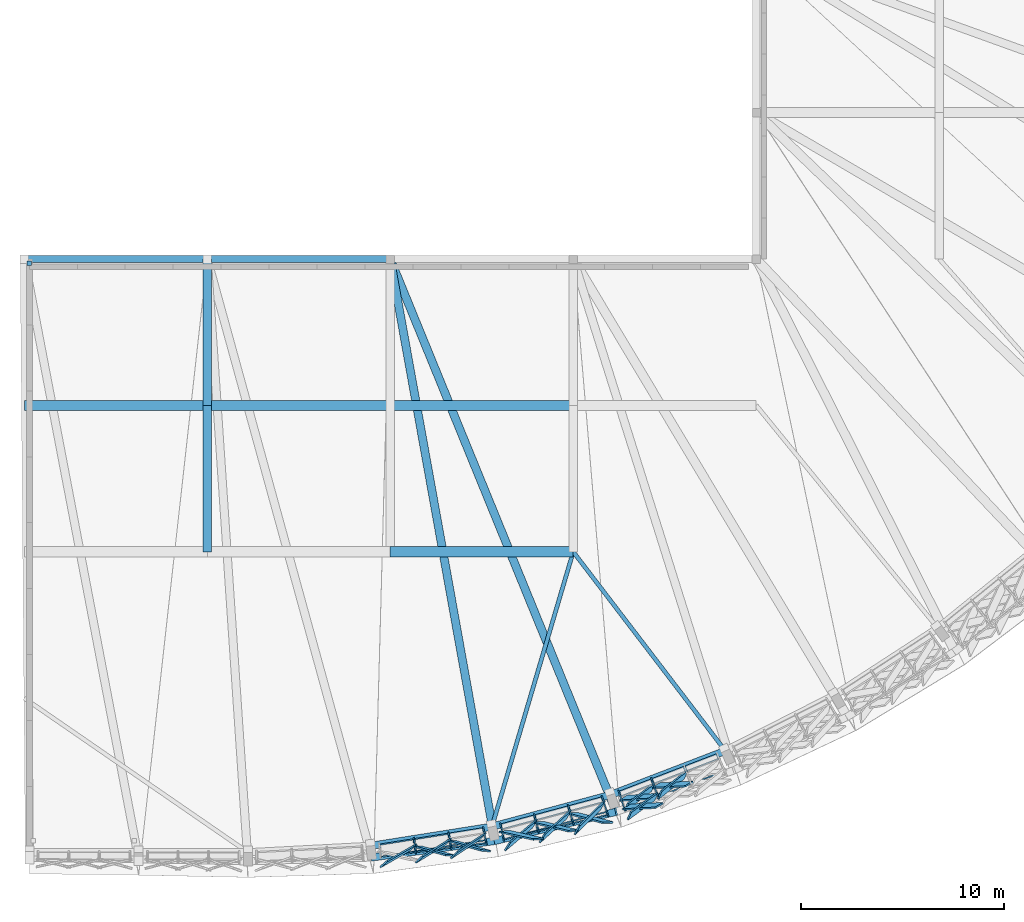
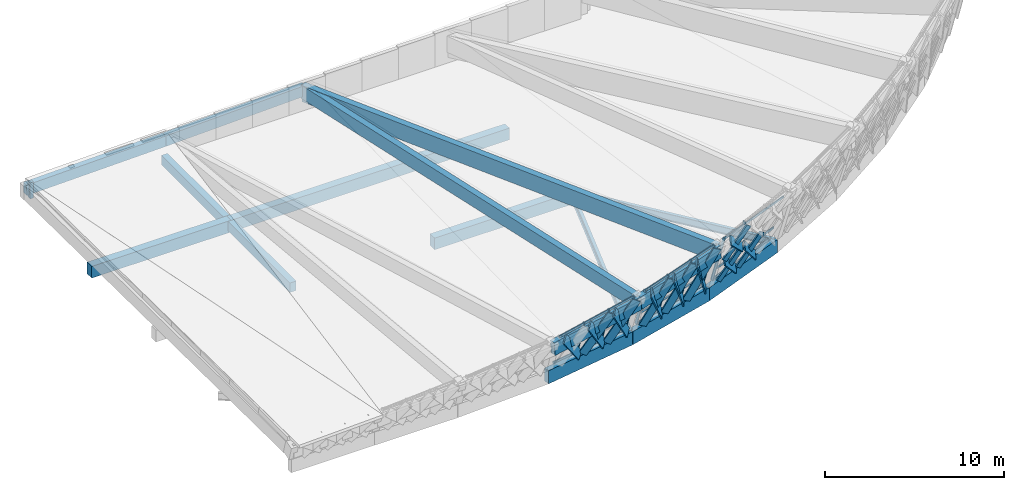
# One storey, part 3 of 11: 37 members, 16 beams, 3 elements without a shape of their own.
"""IFC4 building model written with IfcOpenShell, lengths in metres."""

from ifc_helpers import new_model, si_unit, direction, frame, origin, origin_2d, place, context, subcontext, project, spatial, rectangle, hollow_rectangle, i_section, extrude, material, material_profile, profile_set, type_object, element, aggregate, save


model = new_model("IFC4")

# Units and contexts
model_context = context("Model", 3, precision=1e-05, world=origin(), true_north=direction((0.0, 1.0)))
body_context = subcontext(model_context, "Body", "Model", "MODEL_VIEW")
ifc_project = project(units=[si_unit("LENGTHUNIT", "METRE"), si_unit("AREAUNIT", "SQUARE_METRE"), si_unit("VOLUMEUNIT", "CUBIC_METRE"), si_unit("PLANEANGLEUNIT", "RADIAN"), si_unit("MASSUNIT", "GRAM", prefix="KILO")], contexts=[model_context])

# Site, building, storey
site_placement = place(None, origin())
site = spatial("IfcSite", under=ifc_project, at=site_placement, CompositionType="ELEMENT")
building_placement = place(site_placement, origin())
building = spatial("IfcBuilding", under=site, at=building_placement, Name="Chiffa Square Polytechnic", CompositionType="ELEMENT")
storey_placement = place(building_placement, frame((0.0, 0.0, 30.60009765625)))
storey = spatial("IfcBuildingStorey", under=building, at=storey_placement, Name="ROOF", CompositionType="ELEMENT", Elevation=30.60009765625)

# Beams
ifc_material_1 = material(Name="Concrete C35/45", Category="concrete")
ifc_material_profile_1 = material_profile(ifc_material_1, rectangle(XDim=0.39990234375, YDim=0.64990234375, at=origin_2d()), Name="RC 400x650")
ifc_profile_set_1 = profile_set([ifc_material_profile_1], Name="Concrete C35/45")
beam_type_1 = type_object("IfcBeamType", Name="BM-RC-400X650", PredefinedType="BEAM", material=ifc_profile_set_1)
beam_1_placement = place(storey_placement, frame((121.199951171875, 14.39990234375, -1.30517578125), z_axis=(0.0, 1.0, 0.0), x_axis=(-1.0, 0.0, 0.0)))
element("IfcBeam", 1, at=beam_1_placement, inside=storey, type_object=beam_type_1, Name="Attic floor girder BM-V1-ROOF-Y-1212-0144", PredefinedType="BEAM", context=body_context, shape_type="SweptSolid", body=[
    extrude(rectangle(XDim=0.39990234375, YDim=0.64990234375, at=origin_2d()), origin(), (0.0, 0.0, 1.0), 7.2001953125),
])
beam_2_placement = place(storey_placement, frame((121.199951171875, 21.60009765625, -1.30517578125), z_axis=(0.0, 1.0, 0.0), x_axis=(-1.0, 0.0, 0.0)))
element("IfcBeam", 2, at=beam_2_placement, inside=storey, type_object=beam_type_1, Name="Attic floor girder BM-V1-ROOF-Y-1212-0216", PredefinedType="BEAM", context=body_context, shape_type="SweptSolid", body=[
    extrude(rectangle(XDim=0.39990234375, YDim=0.64990234375, at=origin_2d()), origin(), (0.0, 0.0, 1.0), 7.199951171875),
])
ifc_material_2 = material(Name="Concrete C40/50", Category="concrete")
ifc_material_profile_2 = material_profile(ifc_material_2, rectangle(XDim=0.5, YDim=0.800048828125, at=origin_2d()), Name="RC 500x800")
ifc_profile_set_2 = profile_set([ifc_material_profile_2], Name="Concrete C40/50")
beam_type_2 = type_object("IfcBeamType", Name="BM-RC-500X800", PredefinedType="BEAM", material=ifc_profile_set_2)
for number, where, z_axis, x_axis, name in (
    (3, (130.199951171875, 14.39990234375, -1.380126953125), (1.0, 0.0, 0.0), (0.0, 1.0, 0.0), "Attic floor girder BM-V1-ROOF-X-1302-0144"),
    (4, (112.199951171875, 21.60009765625, -1.380126953125), (1.0, 0.0, 0.0), (0.0, 1.0, 0.0), "Attic floor girder BM-V1-ROOF-X-1122-0216"),
):
    element("IfcBeam", number, at=place(storey_placement, frame(where, z_axis=z_axis, x_axis=x_axis)), inside=storey, type_object=beam_type_2, Name=name, PredefinedType="BEAM", context=body_context, shape_type="SweptSolid", body=[
        extrude(rectangle(XDim=0.5, YDim=0.800048828125, at=origin_2d()), origin(), (0.0, 0.0, 1.0), 9.0),
    ])
beam_3_placement = place(storey_placement, frame((121.199951171875, 21.60009765625, -1.380126953125), z_axis=(1.0, 0.0, 0.0), x_axis=(0.0, 1.0, 0.0)))
element("IfcBeam", 5, at=beam_3_placement, inside=storey, type_object=beam_type_2, Name="Attic floor girder BM-V1-ROOF-X-1212-0216", PredefinedType="BEAM", context=body_context, shape_type="SweptSolid", body=[
    extrude(rectangle(XDim=0.5, YDim=0.800048828125, at=origin_2d()), origin(), (0.0, 0.0, 1.0), 18.0),
])
ifc_material_3 = material(Name="Steel S355", Category="steel")
ifc_material_profile_3 = material_profile(ifc_material_3, i_section(OverallWidth=0.199951171875, OverallDepth=0.5, WebThickness=0.01025390625, FlangeThickness=0.01611328125, FilletRadius=0.02099609375, at=origin_2d()), Name="IPE 500")
ifc_profile_set_3 = profile_set([ifc_material_profile_3], Name="Steel S355")
beam_type_3 = type_object("IfcBeamType", Name="BM-STL-IPE500", PredefinedType="BEAM", material=ifc_profile_set_3)
beam_4_placement = place(storey_placement, frame((135.202880859375, 0.881103515625, -1.22998046875), z_axis=(0.283534011604, 0.958962180831, 0.0), x_axis=(-0.958962180831, 0.283534011604, 0.0)))
element("IfcBeam", 6, at=beam_4_placement, inside=storey, type_object=beam_type_3, Name="Prow attic radial tie girder BM-V1-RAD-ROOF-05", PredefinedType="BEAM", context=body_context, shape_type="SweptSolid", body=[
    extrude(i_section(OverallWidth=0.199951171875, OverallDepth=0.5, WebThickness=0.01025390625, FlangeThickness=0.01611328125, FilletRadius=0.02099609375, at=origin_2d()), origin(), (0.0, 0.0, 1.0), 14.097412109375),
])
beam_5_placement = place(storey_placement, frame((146.680908203125, 4.611083984375, -1.22998046875), z_axis=(-0.607213971421, 0.79453835207, 0.0), x_axis=(-0.79453835207, -0.607213971421, 0.0)))
element("IfcBeam", 7, at=beam_5_placement, inside=storey, type_object=beam_type_3, Name="Prow attic radial tie girder BM-V1-RAD-ROOF-07", PredefinedType="BEAM", context=body_context, shape_type="SweptSolid", body=[
    extrude(i_section(OverallWidth=0.199951171875, OverallDepth=0.5, WebThickness=0.01025390625, FlangeThickness=0.01611328125, FilletRadius=0.02099609375, at=origin_2d()), origin(), (0.0, 0.0, 1.0), 12.320068359375),
])

# Curtain wall, members
ifc_material_4 = material(Name="Aluminium EN AW-6060 T66 and glulam shading", Category="wood")
curtain_wall_type_1 = type_object("IfcCurtainWallType", Name="CW-PROW-LEAN-300", PredefinedType="USERDEFINED", material=ifc_material_4)
curtain_wall_1_placement = place(storey_placement, origin())
curtain_wall_1 = element("IfcCurtainWall", 8, at=curtain_wall_1_placement, inside=storey, type_object=curtain_wall_type_1, Name="Outward-leaning diamond-fin prow curtain wall CW-V1-ROOF-113", ObjectType="CURTAIN WALL", PredefinedType="USERDEFINED")
ifc_material_5 = material(Name="Aluminium EN AW-6060 T66", Category="aluminium")
ifc_material_profile_4 = material_profile(ifc_material_5, hollow_rectangle(XDim=0.06494140625, YDim=0.179931640625, WallThickness=0.00390625, at=origin_2d()), Name="ALU 65x180x4")
ifc_profile_set_4 = profile_set([ifc_material_profile_4], Name="Aluminium EN AW-6060 T66")
member_type_1 = type_object("IfcMemberType", Name="CWM-ALU-75X180", PredefinedType="MULLION", material=ifc_profile_set_4)
member_1_placement = place(storey_placement, frame((131.365234375, 0.273193359375, -0.75), z_axis=(0.037929707068, -0.269181769268, 0.962342201307), x_axis=(0.99021797746, 0.139529054736, 0.0)))
member_1 = element("IfcMember", 9, at=member_1_placement, type_object=member_type_1, Name="Leaning prow mullion CW-V1-ROOF-113-M01", PredefinedType="MULLION", context=body_context, shape_type="SweptSolid", body=[
    extrude(hollow_rectangle(XDim=0.06494140625, YDim=0.179931640625, WallThickness=0.00390625, at=origin_2d()), origin(), (0.0, 0.0, 1.0), 2.458740234375),
])
member_2_placement = place(storey_placement, frame((133.07177734375, 0.543701171875, -0.75), z_axis=(0.047201554215, -0.267660578017, 0.962356393575), x_axis=(0.984804120666, 0.173668776466, 0.0)))
member_2 = element("IfcMember", 10, at=member_2_placement, type_object=member_type_1, Name="Leaning prow mullion CW-V1-ROOF-113-M02", PredefinedType="MULLION", context=body_context, shape_type="SweptSolid", body=[
    extrude(hollow_rectangle(XDim=0.06494140625, YDim=0.179931640625, WallThickness=0.00390625, at=origin_2d()), origin(), (0.0, 0.0, 1.0), 2.637939453125),
])
member_3_placement = place(storey_placement, frame((134.778076171875, 0.81396484375, -0.75), z_axis=(0.056503966369, -0.266053952075, 0.962300678775), x_axis=(0.978183137776, 0.207744431866, 0.0)))
member_3 = element("IfcMember", 11, at=member_3_placement, type_object=member_type_1, Name="Leaning prow mullion CW-V1-ROOF-113-M03", PredefinedType="MULLION", context=body_context, shape_type="SweptSolid", body=[
    extrude(hollow_rectangle(XDim=0.06494140625, YDim=0.179931640625, WallThickness=0.00390625, at=origin_2d()), origin(), (0.0, 0.0, 1.0), 2.817138671875),
])

curtain_wall_type_2 = type_object("IfcCurtainWallType", Name="CW-PROW-LEAN-150", PredefinedType="USERDEFINED", material=ifc_material_4)
curtain_wall_2_placement = place(storey_placement, origin())
curtain_wall_2 = element("IfcCurtainWall", 12, at=curtain_wall_2_placement, inside=storey, type_object=curtain_wall_type_2, Name="Outward-leaning diamond-fin prow curtain wall CW-V1-ROOF-114", ObjectType="CURTAIN WALL", PredefinedType="USERDEFINED")
member_4_placement = place(storey_placement, frame((135.617919921875, 0.991943359375, -0.75), z_axis=(0.056589046619, -0.266133173303, 0.962273772827), x_axis=(0.978132130043, 0.207984461386, 0.0)))
member_4 = element("IfcMember", 13, at=member_4_placement, type_object=member_type_1, Name="Leaning prow mullion CW-V1-ROOF-114-M00", PredefinedType="MULLION", context=body_context, shape_type="SweptSolid", body=[
    extrude(hollow_rectangle(XDim=0.06494140625, YDim=0.179931640625, WallThickness=0.00390625, at=origin_2d()), origin(), (0.0, 0.0, 1.0), 2.817138671875),
])
member_5_placement = place(storey_placement, frame((137.287109375, 1.439208984375, -0.75), z_axis=(0.065643505079, -0.263708599416, 0.962366201004), x_axis=(0.970387590595, 0.241553149472, 0.0)))
member_5 = element("IfcMember", 14, at=member_5_placement, type_object=member_type_1, Name="Leaning prow mullion CW-V1-ROOF-114-M01", PredefinedType="MULLION", context=body_context, shape_type="SweptSolid", body=[
    extrude(hollow_rectangle(XDim=0.06494140625, YDim=0.179931640625, WallThickness=0.00390625, at=origin_2d()), origin(), (0.0, 0.0, 1.0), 3.012451171875),
])
member_6_placement = place(storey_placement, frame((138.9560546875, 1.88671875, -0.75), z_axis=(0.074799852754, -0.261304877272, 0.96235375156), x_axis=(0.96138648807, 0.27520178153, 0.0)))
member_6 = element("IfcMember", 15, at=member_6_placement, type_object=member_type_1, Name="Leaning prow mullion CW-V1-ROOF-114-M02", PredefinedType="MULLION", context=body_context, shape_type="SweptSolid", body=[
    extrude(hollow_rectangle(XDim=0.06494140625, YDim=0.179931640625, WallThickness=0.00390625, at=origin_2d()), origin(), (0.0, 0.0, 1.0), 3.20849609375),
])
member_7_placement = place(storey_placement, frame((140.625, 2.333984375, -0.75), z_axis=(0.083906761409, -0.258820087116, 0.962274294521), x_axis=(0.95126044128, 0.308388671737, 0.0)))
member_7 = element("IfcMember", 16, at=member_7_placement, type_object=member_type_1, Name="Leaning prow mullion CW-V1-ROOF-114-M03", PredefinedType="MULLION", context=body_context, shape_type="SweptSolid", body=[
    extrude(hollow_rectangle(XDim=0.06494140625, YDim=0.179931640625, WallThickness=0.00390625, at=origin_2d()), origin(), (0.0, 0.0, 1.0), 3.404296875),
])

curtain_wall_3_placement = place(storey_placement, origin())
curtain_wall_3 = element("IfcCurtainWall", 17, at=curtain_wall_3_placement, inside=storey, type_object=curtain_wall_type_1, Name="Outward-leaning diamond-fin prow curtain wall CW-V1-ROOF-115", ObjectType="CURTAIN WALL", PredefinedType="USERDEFINED")
member_8_placement = place(storey_placement, frame((141.44091796875, 2.59912109375, -0.75), z_axis=(0.084188466281, -0.258947659065, 0.96221536675), x_axis=(0.951001161668, 0.309187306508, 0.0)))
member_8 = element("IfcMember", 18, at=member_8_placement, type_object=member_type_1, Name="Leaning prow mullion CW-V1-ROOF-115-M00", PredefinedType="MULLION", context=body_context, shape_type="SweptSolid", body=[
    extrude(hollow_rectangle(XDim=0.06494140625, YDim=0.179931640625, WallThickness=0.00390625, at=origin_2d()), origin(), (0.0, 0.0, 1.0), 3.404541015625),
])
member_9_placement = place(storey_placement, frame((143.053955078125, 3.21826171875, -0.75), z_axis=(0.09302362294, -0.255494075498, 0.962324988224), x_axis=(0.939655518193, 0.342122064662, 0.0)))
member_9 = element("IfcMember", 19, at=member_9_placement, type_object=member_type_1, Name="Leaning prow mullion CW-V1-ROOF-115-M01", PredefinedType="MULLION", context=body_context, shape_type="SweptSolid", body=[
    extrude(hollow_rectangle(XDim=0.06494140625, YDim=0.179931640625, WallThickness=0.00390625, at=origin_2d()), origin(), (0.0, 0.0, 1.0), 3.614013671875),
])

# Member
ifc_material_6 = material(Name="Glulam GL28h", Category="wood")
ifc_material_profile_5 = material_profile(ifc_material_6, rectangle(XDim=0.080078125, YDim=0.580078125, at=origin_2d()), Name="GL28h 80x580")
ifc_profile_set_5 = profile_set([ifc_material_profile_5], Name="Glulam GL28h")
member_type_2 = type_object("IfcMemberType", Name="CWM-GL-80X580", PredefinedType="MULLION", material=ifc_profile_set_5)
member_10_placement = place(storey_placement, frame((131.33203125, -0.123046875, -0.710205078125), z_axis=(-0.537416459529, -0.309465316964, 0.784483758037), x_axis=(0.599222082026, -0.794683223594, 0.097012733965)))
member_10 = element("IfcMember", 20, at=member_10_placement, type_object=member_type_2, Name="Diamond glulam fin CW-V1-ROOF-113-DF01B", PredefinedType="MULLION", context=body_context, shape_type="SweptSolid", body=[
    extrude(rectangle(XDim=0.080078125, YDim=0.580078125, at=origin_2d()), origin(), (0.0, 0.0, 1.0), 2.70751953125),
])

member_11_placement = place(storey_placement, frame((131.51904296875, -0.093017578125, -0.710205078125), z_axis=(0.549782596615, -0.147996328736, 0.822092563608), x_axis=(0.132554158152, 0.987165914075, 0.089066566365)))
member_11 = element("IfcMember", 21, at=member_11_placement, type_object=member_type_2, Name="Diamond glulam fin CW-V1-ROOF-113-DF02A", PredefinedType="MULLION", context=body_context, shape_type="SweptSolid", body=[
    extrude(rectangle(XDim=0.080078125, YDim=0.580078125, at=origin_2d()), origin(), (0.0, 0.0, 1.0), 2.979248046875),
])

member_12_placement = place(storey_placement, frame((133.0380859375, 0.14697265625, -0.710205078125), z_axis=(-0.501810439056, -0.31018667516, 0.807446908352), x_axis=(0.626762982558, -0.77372558175, 0.092286986304)))
member_12 = element("IfcMember", 22, at=member_12_placement, type_object=member_type_2, Name="Diamond glulam fin CW-V1-ROOF-113-DF02B", PredefinedType="MULLION", context=body_context, shape_type="SweptSolid", body=[
    extrude(rectangle(XDim=0.080078125, YDim=0.580078125, at=origin_2d()), origin(), (0.0, 0.0, 1.0), 2.84375),
])

member_13_placement = place(storey_placement, frame((133.22607421875, 0.177001953125, -0.710205078125), z_axis=(0.531371655053, -0.153793606939, 0.833061636778), x_axis=(0.149412506007, 0.984980886463, 0.086536445216)))
member_13 = element("IfcMember", 23, at=member_13_placement, type_object=member_type_2, Name="Diamond glulam fin CW-V1-ROOF-113-DF03A", PredefinedType="MULLION", context=body_context, shape_type="SweptSolid", body=[
    extrude(rectangle(XDim=0.080078125, YDim=0.580078125, at=origin_2d()), origin(), (0.0, 0.0, 1.0), 3.146240234375),
])

member_14_placement = place(storey_placement, frame((134.7451171875, 0.41796875, -0.710205078125), z_axis=(-0.467958711502, -0.310744880653, 0.827316301953), x_axis=(0.654190658717, -0.751207414298, 0.087874926744)))
member_14 = element("IfcMember", 24, at=member_14_placement, type_object=member_type_2, Name="Diamond glulam fin CW-V1-ROOF-113-DF03B", PredefinedType="MULLION", context=body_context, shape_type="SweptSolid", body=[
    extrude(rectangle(XDim=0.080078125, YDim=0.580078125, at=origin_2d()), origin(), (0.0, 0.0, 1.0), 2.983154296875),
])

member_15_placement = place(storey_placement, frame((135.80908203125, 0.64306640625, -0.710205078125), z_axis=(0.509093109581, -0.113016445594, 0.853259332678), x_axis=(-0.006256149298, 0.990829836353, 0.134970722713)))
member_15 = element("IfcMember", 25, at=member_15_placement, type_object=member_type_2, Name="Diamond glulam fin CW-V1-ROOF-114-DF01A", PredefinedType="MULLION", context=body_context, shape_type="SweptSolid", body=[
    extrude(rectangle(XDim=0.080078125, YDim=0.580078125, at=origin_2d()), origin(), (0.0, 0.0, 1.0), 3.292236328125),
])

member_16_placement = place(storey_placement, frame((137.294921875, 1.0419921875, -0.710205078125), z_axis=(-0.419890645143, -0.356710333115, 0.834535550094), x_axis=(0.789992230221, -0.596303826926, 0.142597412959)))
member_16 = element("IfcMember", 26, at=member_16_placement, type_object=member_type_2, Name="Diamond glulam fin CW-V1-ROOF-114-DF01B", PredefinedType="MULLION", context=body_context, shape_type="SweptSolid", body=[
    extrude(rectangle(XDim=0.080078125, YDim=0.580078125, at=origin_2d()), origin(), (0.0, 0.0, 1.0), 3.164794921875),
])

member_17_placement = place(storey_placement, frame((137.47900390625, 1.091064453125, -0.710205078125), z_axis=(0.49353853572, -0.119577657453, 0.861464391369), x_axis=(0.010756062576, 0.991266706194, 0.131432965075)))
member_17 = element("IfcMember", 27, at=member_17_placement, type_object=member_type_2, Name="Diamond glulam fin CW-V1-ROOF-114-DF02A", PredefinedType="MULLION", context=body_context, shape_type="SweptSolid", body=[
    extrude(rectangle(XDim=0.080078125, YDim=0.580078125, at=origin_2d()), origin(), (0.0, 0.0, 1.0), 3.47900390625),
])

member_18_placement = place(storey_placement, frame((138.964111328125, 1.489013671875, -0.710205078125), z_axis=(-0.388335233376, -0.352865127907, 0.851282531259), x_axis=(0.812648277282, -0.566709771407, 0.135804316655)))
member_18 = element("IfcMember", 28, at=member_18_placement, type_object=member_type_2, Name="Diamond glulam fin CW-V1-ROOF-114-DF02B", PredefinedType="MULLION", context=body_context, shape_type="SweptSolid", body=[
    extrude(rectangle(XDim=0.080078125, YDim=0.580078125, at=origin_2d()), origin(), (0.0, 0.0, 1.0), 3.324462890625),
])

member_19_placement = place(storey_placement, frame((139.14794921875, 1.5380859375, -0.710205078125), z_axis=(0.48015057563, -0.125077328833, 0.868222947482), x_axis=(0.026038273504, 0.991378070252, 0.128419352658)))
member_19 = element("IfcMember", 29, at=member_19_placement, type_object=member_type_2, Name="Diamond glulam fin CW-V1-ROOF-114-DF03A", PredefinedType="MULLION", context=body_context, shape_type="SweptSolid", body=[
    extrude(rectangle(XDim=0.080078125, YDim=0.580078125, at=origin_2d()), origin(), (0.0, 0.0, 1.0), 3.669677734375),
])

member_20_placement = place(storey_placement, frame((140.634033203125, 1.93603515625, -0.710205078125), z_axis=(-0.358573954489, -0.349119367799, 0.865760004961), x_axis=(0.834375244243, -0.535761457162, 0.129528424735)))
member_20 = element("IfcMember", 30, at=member_20_placement, type_object=member_type_2, Name="Diamond glulam fin CW-V1-ROOF-114-DF03B", PredefinedType="MULLION", context=body_context, shape_type="SweptSolid", body=[
    extrude(rectangle(XDim=0.080078125, YDim=0.580078125, at=origin_2d()), origin(), (0.0, 0.0, 1.0), 3.486083984375),
])

member_21_placement = place(storey_placement, frame((141.66796875, 2.27197265625, -0.710205078125), z_axis=(0.685758775117, 0.043789668194, 0.72651040413), x_axis=(-0.319322193621, 0.915091285281, 0.24625449491)))
member_21 = element("IfcMember", 31, at=member_21_placement, type_object=member_type_2, Name="Diamond glulam fin CW-V1-ROOF-115-DF01A", PredefinedType="MULLION", context=body_context, shape_type="SweptSolid", body=[
    extrude(rectangle(XDim=0.080078125, YDim=0.580078125, at=origin_2d()), origin(), (0.0, 0.0, 1.0), 2.33056640625),
])

member_22_placement = place(storey_placement, frame((143.10400390625, 2.823974609375, -0.710205078125), z_axis=(-0.567002037024, -0.430382767922, 0.702338496087), x_axis=(0.764928155374, -0.591445693452, 0.255101761684)))
member_22 = element("IfcMember", 32, at=member_22_placement, type_object=member_type_2, Name="Diamond glulam fin CW-V1-ROOF-115-DF01B", PredefinedType="MULLION", context=body_context, shape_type="SweptSolid", body=[
    extrude(rectangle(XDim=0.080078125, YDim=0.580078125, at=origin_2d()), origin(), (0.0, 0.0, 1.0), 2.28369140625),
])

member_23_placement = place(storey_placement, frame((141.80908203125, 1.841064453125, 0.893798828125), z_axis=(0.671996540749, 0.034435391689, 0.739753237925), x_axis=(-0.312533622126, 0.918790073748, 0.241138000785)))
member_23 = element("IfcMember", 33, at=member_23_placement, type_object=member_type_2, Name="Diamond glulam fin CW-V1-ROOF-115-DF02A", PredefinedType="MULLION", context=body_context, shape_type="SweptSolid", body=[
    extrude(rectangle(XDim=0.080078125, YDim=0.580078125, at=origin_2d()), origin(), (0.0, 0.0, 1.0), 2.41064453125),
])

member_24_placement = place(storey_placement, frame((143.26611328125, 2.3740234375, 0.98291015625), z_axis=(-0.591347814882, -0.433172420881, 0.680198070875), x_axis=(0.748332486465, -0.609089828504, 0.262693872242)))
member_24 = element("IfcMember", 34, at=member_24_placement, type_object=member_type_2, Name="Diamond glulam fin CW-V1-ROOF-115-DF02B", PredefinedType="MULLION", context=body_context, shape_type="SweptSolid", body=[
    extrude(rectangle(XDim=0.080078125, YDim=0.580078125, at=origin_2d()), origin(), (0.0, 0.0, 1.0), 2.2255859375),
])

member_25_placement = place(storey_placement, frame((143.281005859375, 2.89208984375, -0.710205078125), z_axis=(0.670922411424, 0.033364681217, 0.740776562734), x_axis=(-0.311512176909, 0.91924273404, 0.240734209353)))
member_25 = element("IfcMember", 35, at=member_25_placement, type_object=member_type_2, Name="Diamond glulam fin CW-V1-ROOF-115-DF03A", PredefinedType="MULLION", context=body_context, shape_type="SweptSolid", body=[
    extrude(rectangle(XDim=0.080078125, YDim=0.580078125, at=origin_2d()), origin(), (0.0, 0.0, 1.0), 2.422119140625),
])

member_26_placement = place(storey_placement, frame((144.717041015625, 3.443115234375, -0.710205078125), z_axis=(-0.540137617429, -0.427063825545, 0.725167458694), x_axis=(0.782877055536, -0.571149601215, 0.246762332919)))
member_26 = element("IfcMember", 36, at=member_26_placement, type_object=member_type_2, Name="Diamond glulam fin CW-V1-ROOF-115-DF03B", PredefinedType="MULLION", context=body_context, shape_type="SweptSolid", body=[
    extrude(rectangle(XDim=0.080078125, YDim=0.580078125, at=origin_2d()), origin(), (0.0, 0.0, 1.0), 2.351318359375),
])

ifc_material_profile_6 = material_profile(ifc_material_5, hollow_rectangle(XDim=0.06494140625, YDim=0.139892578125, WallThickness=0.00390625, at=origin_2d()), Name="ALU 65x140x4")
ifc_profile_set_6 = profile_set([ifc_material_profile_6], Name="Aluminium EN AW-6060 T66")
member_type_3 = type_object("IfcMemberType", Name="CWT-ALU-75X140", PredefinedType="USERDEFINED", material=ifc_profile_set_6)
member_27_placement = place(storey_placement, frame((129.66015625, -0.00830078125, -0.710205078125), z_axis=(0.987678431405, 0.156497016382, 0.0), x_axis=(-0.156497016382, 0.987678431405, 0.0)))
member_27 = element("IfcMember", 37, at=member_27_placement, type_object=member_type_3, Name="Leaning prow transom CW-V1-ROOF-113-T01", ObjectType="TRANSOM", PredefinedType="USERDEFINED", context=body_context, shape_type="SweptSolid", body=[
    extrude(hollow_rectangle(XDim=0.06494140625, YDim=0.139892578125, WallThickness=0.00390625, at=origin_2d()), origin(), (0.0, 0.0, 1.0), 5.18408203125),
])

member_28_placement = place(storey_placement, frame((129.72314453125, -0.60302734375, 1.40380859375), z_axis=(0.987662391019, 0.156598216359, 0.0), x_axis=(-0.156598216359, 0.987662391019, 0.0)))
member_28 = element("IfcMember", 38, at=member_28_placement, type_object=member_type_3, Name="Leaning prow transom CW-V1-ROOF-113-T02", ObjectType="TRANSOM", PredefinedType="USERDEFINED", context=body_context, shape_type="SweptSolid", body=[
    extrude(hollow_rectangle(XDim=0.06494140625, YDim=0.139892578125, WallThickness=0.00390625, at=origin_2d()), origin(), (0.0, 0.0, 1.0), 5.24609375),
])

member_29_placement = place(storey_placement, frame((129.800537109375, -0.587890625, 1.393798828125), z_axis=(0.986678387446, 0.127599223565, 0.100916786972), x_axis=(-0.128253976805, 0.991741356117, 0.0)))
member_29 = element("IfcMember", 39, at=member_29_placement, type_object=member_type_3, Name="Swept prow eave transom CW-V1-ROOF-113-TSLP", ObjectType="TRANSOM", PredefinedType="USERDEFINED", context=body_context, shape_type="SweptSolid", body=[
    extrude(hollow_rectangle(XDim=0.06494140625, YDim=0.139892578125, WallThickness=0.00390625, at=origin_2d()), origin(), (0.0, 0.0, 1.0), 5.1240234375),
])

aggregate(curtain_wall_1, [member_1, member_2, member_3, member_27, member_28, member_29, member_10, member_11, member_12, member_13, member_14])

member_30_placement = place(storey_placement, frame((135.620361328125, 0.98095703125, -0.710205078125), z_axis=(0.965907480713, 0.258887502021, 0.0), x_axis=(-0.258887502021, 0.965907480713, 0.0)))
member_30 = element("IfcMember", 40, at=member_30_placement, type_object=member_type_3, Name="Leaning prow transom CW-V1-ROOF-114-T01", ObjectType="TRANSOM", PredefinedType="USERDEFINED", context=body_context, shape_type="SweptSolid", body=[
    extrude(hollow_rectangle(XDim=0.06494140625, YDim=0.139892578125, WallThickness=0.00390625, at=origin_2d()), origin(), (0.0, 0.0, 1.0), 5.184814453125),
])

member_31_placement = place(storey_placement, frame((135.66796875, 0.7568359375, 0.099853515625), z_axis=(0.965901179404, 0.258911011017, 0.0), x_axis=(-0.258911011017, 0.965901179404, 0.0)))
member_31 = element("IfcMember", 41, at=member_31_placement, type_object=member_type_3, Name="Leaning prow transom CW-V1-ROOF-114-T02", ObjectType="TRANSOM", PredefinedType="USERDEFINED", context=body_context, shape_type="SweptSolid", body=[
    extrude(hollow_rectangle(XDim=0.06494140625, YDim=0.139892578125, WallThickness=0.00390625, at=origin_2d()), origin(), (0.0, 0.0, 1.0), 5.208984375),
])

member_32_placement = place(storey_placement, frame((135.77490234375, 0.253173828125, 1.9208984375), z_axis=(0.965899170637, 0.258918504867, 0.0), x_axis=(-0.258918504867, 0.965899170637, 0.0)))
member_32 = element("IfcMember", 42, at=member_32_placement, type_object=member_type_3, Name="Leaning prow transom CW-V1-ROOF-114-T03", ObjectType="TRANSOM", PredefinedType="USERDEFINED", context=body_context, shape_type="SweptSolid", body=[
    extrude(hollow_rectangle(XDim=0.06494140625, YDim=0.139892578125, WallThickness=0.00390625, at=origin_2d()), origin(), (0.0, 0.0, 1.0), 5.262451171875),
])

member_33_placement = place(storey_placement, frame((135.8505859375, 0.2763671875, 1.910888671875), z_axis=(0.967615910344, 0.227303154031, 0.109784908876), x_axis=(-0.228685473538, 0.973500361681, 0.0)))
member_33 = element("IfcMember", 43, at=member_33_placement, type_object=member_type_3, Name="Swept prow eave transom CW-V1-ROOF-114-TSLP", ObjectType="TRANSOM", PredefinedType="USERDEFINED", context=body_context, shape_type="SweptSolid", body=[
    extrude(hollow_rectangle(XDim=0.06494140625, YDim=0.139892578125, WallThickness=0.00390625, at=origin_2d()), origin(), (0.0, 0.0, 1.0), 5.14599609375),
])

aggregate(curtain_wall_2, [member_4, member_5, member_6, member_7, member_30, member_31, member_32, member_33, member_15, member_16, member_17, member_18, member_19, member_20])

member_34_placement = place(storey_placement, frame((141.444580078125, 2.588134765625, -0.710205078125), z_axis=(0.933534802367, 0.358486781862, 0.0), x_axis=(-0.358486781862, 0.933534802367, 0.0)))
member_34 = element("IfcMember", 44, at=member_34_placement, type_object=member_type_3, Name="Leaning prow transom CW-V1-ROOF-115-T01", ObjectType="TRANSOM", PredefinedType="USERDEFINED", context=body_context, shape_type="SweptSolid", body=[
    extrude(hollow_rectangle(XDim=0.06494140625, YDim=0.139892578125, WallThickness=0.00390625, at=origin_2d()), origin(), (0.0, 0.0, 1.0), 5.1845703125),
])

member_35_placement = place(storey_placement, frame((141.515380859375, 2.370361328125, 0.099853515625), z_axis=(0.933549624466, 0.358448181276, 0.0), x_axis=(-0.358448181276, 0.933549624466, 0.0)))
member_35 = element("IfcMember", 45, at=member_35_placement, type_object=member_type_3, Name="Leaning prow transom CW-V1-ROOF-115-T02", ObjectType="TRANSOM", PredefinedType="USERDEFINED", context=body_context, shape_type="SweptSolid", body=[
    extrude(hollow_rectangle(XDim=0.06494140625, YDim=0.139892578125, WallThickness=0.00390625, at=origin_2d()), origin(), (0.0, 0.0, 1.0), 5.20849609375),
])

member_36_placement = place(storey_placement, frame((141.72412109375, 1.728271484375, 2.48583984375), z_axis=(0.933550458197, 0.358446009882, 0.0), x_axis=(-0.358446009882, 0.933550458197, 0.0)))
member_36 = element("IfcMember", 46, at=member_36_placement, type_object=member_type_3, Name="Leaning prow transom CW-V1-ROOF-115-T03", ObjectType="TRANSOM", PredefinedType="USERDEFINED", context=body_context, shape_type="SweptSolid", body=[
    extrude(hollow_rectangle(XDim=0.06494140625, YDim=0.139892578125, WallThickness=0.00390625, at=origin_2d()), origin(), (0.0, 0.0, 1.0), 5.279296875),
])

aggregate(curtain_wall_3, [member_8, member_9, member_34, member_35, member_36, member_21, member_22, member_23, member_24, member_25, member_26])

ifc_material_profile_7 = material_profile(ifc_material_6, rectangle(XDim=0.219970703125, YDim=0.219970703125, at=origin_2d()), Name="GL28h 220x220")
ifc_profile_set_7 = profile_set([ifc_material_profile_7], Name="Glulam GL28h")
member_type_4 = type_object("IfcMemberType", Name="MEM-WEB-GL220", PredefinedType="MEMBER", material=ifc_profile_set_7)
member_37_placement = place(storey_placement, frame((112.449951171875, 28.60009765625, -0.75), z_axis=(0.0, 0.0, 1.0), x_axis=(1.0, 0.0, 0.0)))
element("IfcMember", 47, at=member_37_placement, inside=storey, type_object=member_type_4, Name="Swept prow west corner bearing post C-V1-ROOF-SW01-1", PredefinedType="MEMBER", context=body_context, shape_type="SweptSolid", body=[
    extrude(rectangle(XDim=0.219970703125, YDim=0.219970703125, at=origin_2d()), origin(), (0.0, 0.0, 1.0), 1.094970703125),
])

# Beams
ifc_material_7 = material(Name="Glulam GL32c", Category="wood")
ifc_material_profile_8 = material_profile(ifc_material_7, rectangle(XDim=0.360107421875, YDim=0.719970703125, at=origin_2d()), Name="GL32c 360x720")
ifc_profile_set_8 = profile_set([ifc_material_profile_8], Name="Glulam GL32c")
beam_type_4 = type_object("IfcBeamType", Name="RB-GL-360X720", PredefinedType="SPANDREL", material=ifc_profile_set_8)
beam_6_placement = place(storey_placement, frame((112.199951171875, 28.800048828125, -0.195068359375), z_axis=(0.999714549426, 0.0, 0.023891832629), x_axis=(0.0, 1.0, 0.0)))
element("IfcBeam", 48, at=beam_6_placement, inside=storey, type_object=beam_type_4, Name="Faculty courtyard roof spine girder RB-V1-SPINE-01", PredefinedType="SPANDREL", context=body_context, shape_type="SweptSolid", body=[
    extrude(rectangle(XDim=0.360107421875, YDim=0.719970703125, at=origin_2d()), origin(), (0.0, 0.0, 1.0), 9.002685546875),
])
beam_7_placement = place(storey_placement, frame((121.199951171875, 28.800048828125, 0.02001953125), z_axis=(0.999445628921, 0.0, 0.033293164939), x_axis=(0.0, 1.0, 0.0)))
element("IfcBeam", 49, at=beam_7_placement, inside=storey, type_object=beam_type_4, Name="Faculty courtyard roof spine girder RB-V1-SPINE-02", PredefinedType="SPANDREL", context=body_context, shape_type="SweptSolid", body=[
    extrude(rectangle(XDim=0.360107421875, YDim=0.719970703125, at=origin_2d()), origin(), (0.0, 0.0, 1.0), 9.0048828125),
])
ifc_material_profile_9 = material_profile(ifc_material_7, rectangle(XDim=0.360107421875, YDim=0.89990234375, at=origin_2d()), Name="GL32c 360x900")
ifc_profile_set_9 = profile_set([ifc_material_profile_9], Name="Glulam GL32c")
beam_type_5 = type_object("IfcBeamType", Name="RB-GL-360X900", PredefinedType="SPANDREL", material=ifc_profile_set_9)
beam_8_placement = place(storey_placement, frame((129.2939453125, -0.631103515625, 0.803955078125), z_axis=(0.987628658698, 0.132241128746, 0.08427286862), x_axis=(-0.132713227564, 0.991154477985, 0.0)))
element("IfcBeam", 50, at=beam_8_placement, inside=storey, type_object=beam_type_5, Name="Swept prow eave glulam girder RB-V1-PROW-ROOF-04", PredefinedType="SPANDREL", context=body_context, shape_type="SweptSolid", body=[
    extrude(rectangle(XDim=0.360107421875, YDim=0.89990234375, at=origin_2d()), origin(), (0.0, 0.0, 1.0), 6.133056640625),
])
beam_9_placement = place(storey_placement, frame((135.35107421875, 0.179931640625, 1.32080078125), z_axis=(0.968205855189, 0.232689919147, 0.09183040621), x_axis=(-0.233677284774, 0.972314211858, 0.0)))
element("IfcBeam", 51, at=beam_9_placement, inside=storey, type_object=beam_type_5, Name="Swept prow eave glulam girder RB-V1-PROW-ROOF-05", PredefinedType="SPANDREL", context=body_context, shape_type="SweptSolid", body=[
    extrude(rectangle(XDim=0.360107421875, YDim=0.89990234375, at=origin_2d()), origin(), (0.0, 0.0, 1.0), 6.15478515625),
])
beam_10_placement = place(storey_placement, frame((129.23388671875, -0.06396484375, -1.43017578125), z_axis=(0.987696710664, 0.156381609349, 0.0), x_axis=(-0.156381609349, 0.987696710664, 0.0)))
element("IfcBeam", 52, at=beam_10_placement, inside=storey, type_object=beam_type_5, Name="Prow attic perimeter beam RB-V1-ATTIC-04", PredefinedType="SPANDREL", context=body_context, shape_type="SweptSolid", body=[
    extrude(rectangle(XDim=0.360107421875, YDim=0.89990234375, at=origin_2d()), origin(), (0.0, 0.0, 1.0), 6.04345703125),
])
beam_11_placement = place(storey_placement, frame((135.202880859375, 0.881103515625, -1.43017578125), z_axis=(0.965929838341, 0.258804071455, 0.0), x_axis=(-0.258804071455, 0.965929838341, 0.0)))
element("IfcBeam", 53, at=beam_11_placement, inside=storey, type_object=beam_type_5, Name="Prow attic perimeter beam RB-V1-ATTIC-05", PredefinedType="SPANDREL", context=body_context, shape_type="SweptSolid", body=[
    extrude(rectangle(XDim=0.360107421875, YDim=0.89990234375, at=origin_2d()), origin(), (0.0, 0.0, 1.0), 6.04296875),
])
beam_12_placement = place(storey_placement, frame((141.0400390625, 2.445068359375, -1.43017578125), z_axis=(0.933542280881, 0.358467306469, 0.0), x_axis=(-0.358467306469, 0.933542280881, 0.0)))
element("IfcBeam", 54, at=beam_12_placement, inside=storey, type_object=beam_type_5, Name="Prow attic perimeter beam RB-V1-ATTIC-06", PredefinedType="SPANDREL", context=body_context, shape_type="SweptSolid", body=[
    extrude(rectangle(XDim=0.360107421875, YDim=0.89990234375, at=origin_2d()), origin(), (0.0, 0.0, 1.0), 6.04248046875),
])
ifc_material_profile_10 = material_profile(ifc_material_7, rectangle(XDim=0.39990234375, YDim=1.10009765625, at=origin_2d()), Name="GL32c 400x1100")
ifc_profile_set_10 = profile_set([ifc_material_profile_10], Name="Glulam GL32c")
beam_type_6 = type_object("IfcBeamType", Name="RB-GL-400X1100", PredefinedType="SPANDREL", material=ifc_profile_set_10)
beam_13_placement = place(storey_placement, frame((130.199951171875, 28.800048828125, 0.1298828125), z_axis=(0.377675627235, -0.924225134598, 0.056294059805), x_axis=(0.925693068966, 0.378275484361, 0.0)))
element("IfcBeam", 55, at=beam_13_placement, inside=storey, type_object=beam_type_6, Name="Swept prow radial glulam girder RB-V1-SWEPT-06", PredefinedType="SPANDREL", context=body_context, shape_type="SweptSolid", body=[
    extrude(rectangle(XDim=0.39990234375, YDim=1.10009765625, at=origin_2d()), origin(), (0.0, 0.0, 1.0), 29.4169921875),
])
ifc_material_profile_11 = material_profile(ifc_material_7, rectangle(XDim=0.39990234375, YDim=0.89990234375, at=origin_2d()), Name="GL32c 400x900")
ifc_profile_set_11 = profile_set([ifc_material_profile_11], Name="Glulam GL32c")
beam_type_7 = type_object("IfcBeamType", Name="RB-GL-400X900", PredefinedType="SPANDREL", material=ifc_profile_set_11)
beam_14_placement = place(storey_placement, frame((130.199951171875, 28.800048828125, 0.22998046875), z_axis=(0.177011917952, -0.983494626176, 0.037484679341), x_axis=(0.984186309908, 0.177136408987, 0.0)))
element("IfcBeam", 56, at=beam_14_placement, inside=storey, type_object=beam_type_7, Name="Swept prow radial glulam girder RB-V1-SWEPT-05", PredefinedType="SPANDREL", context=body_context, shape_type="SweptSolid", body=[
    extrude(rectangle(XDim=0.39990234375, YDim=0.89990234375, at=origin_2d()), origin(), (0.0, 0.0, 1.0), 29.100341796875),
])

save(model, "model.ifc")
